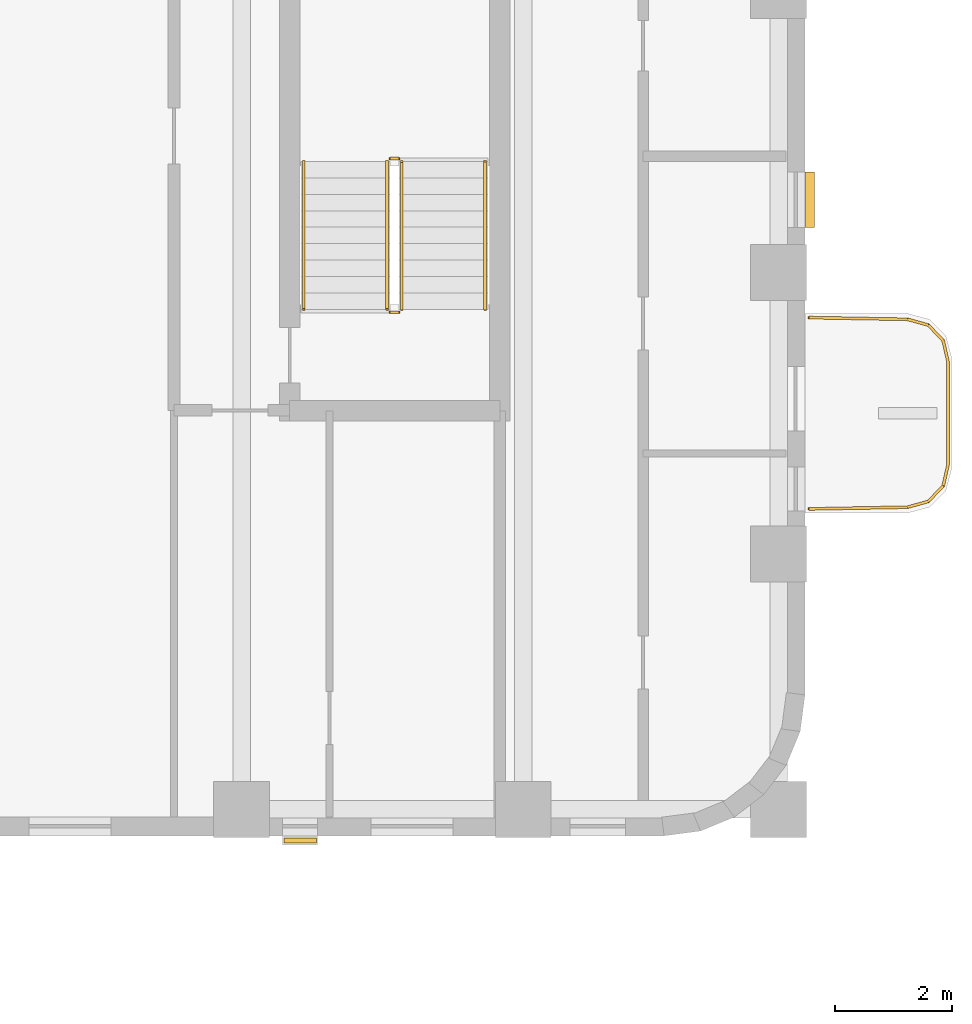
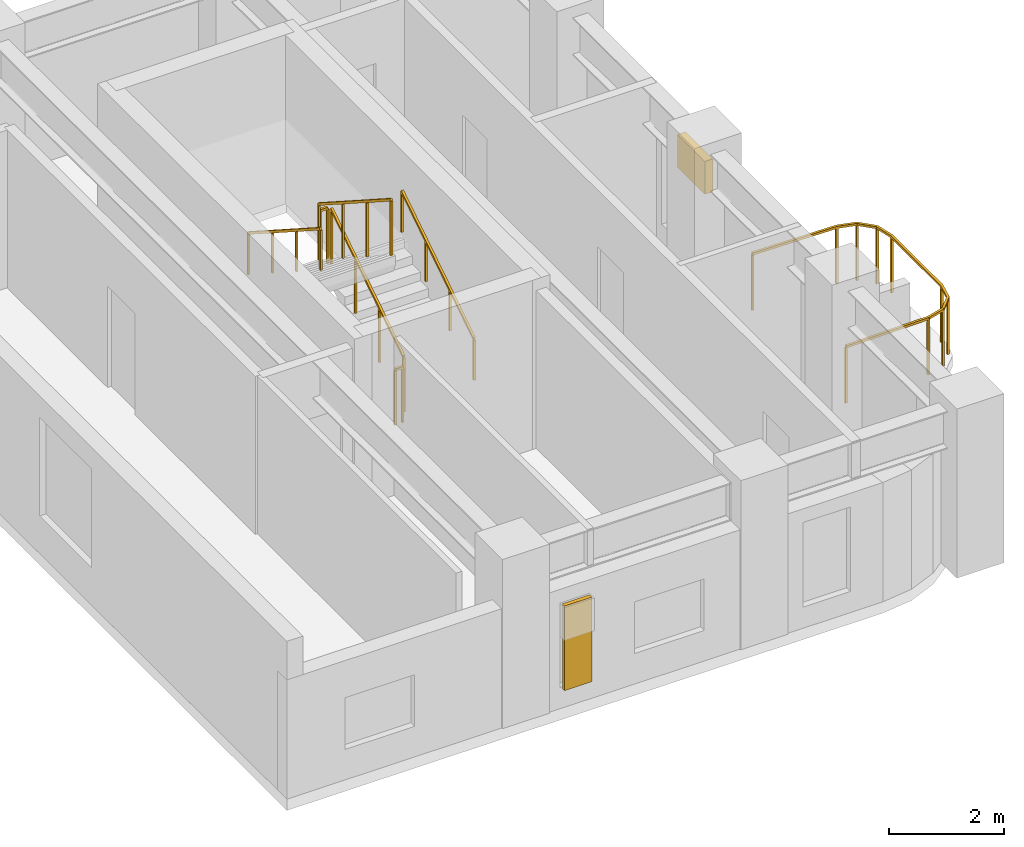
# One storey, part 10 of 11: 7 railings, 2 shading devices.
"""IFC4 building model written with IfcOpenShell, lengths in metres."""

from ifc_helpers import new_model, si_unit, direction, frame, origin, origin_2d, place, context, subcontext, project, spatial, rectangle, extrude, material, type_object, element, save


model = new_model("IFC4")

# Units and contexts
model_context = context("Model", 3, precision=1e-05, world=origin(), true_north=direction((0.0, 1.0)))
body_context = subcontext(model_context, "Body", "Model", "MODEL_VIEW")
ifc_project = project(units=[si_unit("LENGTHUNIT", "METRE"), si_unit("AREAUNIT", "SQUARE_METRE"), si_unit("VOLUMEUNIT", "CUBIC_METRE"), si_unit("PLANEANGLEUNIT", "RADIAN"), si_unit("MASSUNIT", "GRAM", prefix="KILO")], contexts=[model_context])

# Site, building, storey
site_placement = place(None, origin())
site = spatial("IfcSite", under=ifc_project, at=site_placement, CompositionType="ELEMENT")
building_placement = place(site_placement, origin())
building = spatial("IfcBuilding", under=site, at=building_placement, Name="Orvandelia Arch Residences", CompositionType="ELEMENT")
storey_placement = place(building_placement, frame((0.0, 0.0, 172.0)))
storey = spatial("IfcBuildingStorey", under=building, at=storey_placement, Name="L45", CompositionType="ELEMENT", Elevation=172.0)

# Railings
ifc_material_1 = material(Name="Marine-Grade Stainless Steel 316", Category="steel")
railing_type_1 = type_object("IfcRailingType", Name="GRD-BAL-1200", PredefinedType="BALUSTRADE", material=ifc_material_1)
railing_1_placement = place(storey_placement, frame((52.871826171875, 34.36962890625, 0.0)))
element("IfcRailing", 1, at=railing_1_placement, inside=storey, type_object=railing_type_1, Name="Safety Balustrade Guard GRD-L45-BAL-L45-E1-1", PredefinedType="BALUSTRADE", context=body_context, shape_type="SweptSolid", body=[
    extrude(rectangle(XDim=0.048095703125, YDim=0.048095703125, at=origin_2d()), frame((0.0, 0.0, 1.19580078125), z_axis=(0.999837384468, 0.018033430643, 0.0), x_axis=(-0.018033430643, 0.999837384468, 0.0)), (0.0, 0.0, 1.0), 1.6787109375),
    extrude(rectangle(XDim=0.048095703125, YDim=0.048095703125, at=origin_2d()), frame((1.678466796875, 0.0302734375, 1.19580078125), z_axis=(0.96348920644, 0.267747173792, 0.0), x_axis=(-0.267747173792, 0.96348920644, 0.0)), (0.0, 0.0, 1.0), 0.36572265625),
    extrude(rectangle(XDim=0.048095703125, YDim=0.048095703125, at=origin_2d()), frame((2.03076171875, 0.128173828125, 1.19580078125), z_axis=(0.687947031175, 0.725760898848, 0.0), x_axis=(-0.725760898848, 0.687947031175, 0.0)), (0.0, 0.0, 1.0), 0.367919921875),
    extrude(rectangle(XDim=0.048095703125, YDim=0.048095703125, at=origin_2d()), frame((2.283935546875, 0.395263671875, 1.19580078125), z_axis=(0.221225034864, 0.975222786828, 0.0), x_axis=(-0.975222786828, 0.221225034864, 0.0)), (0.0, 0.0, 1.0), 0.373046875),
    extrude(rectangle(XDim=0.048095703125, YDim=0.048095703125, at=origin_2d()), frame((2.366455078125, 0.759033203125, 1.19580078125), z_axis=(0.0, 1.0, 0.0), x_axis=(-1.0, 0.0, 0.0)), (0.0, 0.0, 1.0), 1.74267578125),
    extrude(rectangle(XDim=0.048095703125, YDim=0.048095703125, at=origin_2d()), frame((2.366455078125, 2.501708984375, 1.19580078125), z_axis=(-0.221225034864, 0.975222786828, 0.0), x_axis=(-0.975222786828, -0.221225034864, 0.0)), (0.0, 0.0, 1.0), 0.373046875),
    extrude(rectangle(XDim=0.048095703125, YDim=0.048095703125, at=origin_2d()), frame((2.283935546875, 2.865478515625, 1.19580078125), z_axis=(-0.687947031175, 0.725760898848, 0.0), x_axis=(-0.725760898848, -0.687947031175, 0.0)), (0.0, 0.0, 1.0), 0.367919921875),
    extrude(rectangle(XDim=0.048095703125, YDim=0.048095703125, at=origin_2d()), frame((2.03076171875, 3.132568359375, 1.19580078125), z_axis=(-0.96348920644, 0.267747173792, 0.0), x_axis=(-0.267747173792, -0.96348920644, 0.0)), (0.0, 0.0, 1.0), 0.36572265625),
    extrude(rectangle(XDim=0.048095703125, YDim=0.048095703125, at=origin_2d()), frame((1.678466796875, 3.23046875, 1.19580078125), z_axis=(-0.999837384468, 0.018033430643, 0.0), x_axis=(-0.018033430643, -0.999837384468, 0.0)), (0.0, 0.0, 1.0), 1.6787109375),
    extrude(rectangle(XDim=0.0419921875, YDim=0.0419921875, at=origin_2d()), origin(), (0.0, 0.0, 1.0), 1.171875),
    extrude(rectangle(XDim=0.0419921875, YDim=0.0419921875, at=origin_2d()), frame((1.678466796875, 0.0302734375, 0.0)), (0.0, 0.0, 1.0), 1.171875),
    extrude(rectangle(XDim=0.0419921875, YDim=0.0419921875, at=origin_2d()), frame((2.03076171875, 0.128173828125, 0.0)), (0.0, 0.0, 1.0), 1.171875),
    extrude(rectangle(XDim=0.0419921875, YDim=0.0419921875, at=origin_2d()), frame((2.283935546875, 0.395263671875, 0.0)), (0.0, 0.0, 1.0), 1.171875),
    extrude(rectangle(XDim=0.0419921875, YDim=0.0419921875, at=origin_2d()), frame((2.366455078125, 0.759033203125, 0.0)), (0.0, 0.0, 1.0), 1.171875),
    extrude(rectangle(XDim=0.0419921875, YDim=0.0419921875, at=origin_2d()), frame((2.366455078125, 2.501708984375, 0.0)), (0.0, 0.0, 1.0), 1.171875),
    extrude(rectangle(XDim=0.0419921875, YDim=0.0419921875, at=origin_2d()), frame((2.283935546875, 2.865478515625, 0.0)), (0.0, 0.0, 1.0), 1.171875),
    extrude(rectangle(XDim=0.0419921875, YDim=0.0419921875, at=origin_2d()), frame((2.03076171875, 3.132568359375, 0.0)), (0.0, 0.0, 1.0), 1.171875),
    extrude(rectangle(XDim=0.0419921875, YDim=0.0419921875, at=origin_2d()), frame((1.678466796875, 3.23046875, 0.0)), (0.0, 0.0, 1.0), 1.171875),
    extrude(rectangle(XDim=0.0419921875, YDim=0.0419921875, at=origin_2d()), frame((0.0, 3.2607421875, 0.0)), (0.0, 0.0, 1.0), 1.171875),
])
ifc_material_2 = material(Name="Brushed Stainless Steel 304", Category="steel")
railing_type_2 = type_object("IfcRailingType", Name="RL-STAIR-GD1120", PredefinedType="GUARDRAIL", material=ifc_material_2)
railing_2_placement = place(storey_placement, frame((45.929931640625, 37.77001953125, 0.179931640625)))
element("IfcRailing", 2, at=railing_2_placement, inside=storey, type_object=railing_type_2, Name="L45 ST-3 stair guard 1", PredefinedType="GUARDRAIL", context=body_context, shape_type="SweptSolid", body=[
    extrude(rectangle(XDim=0.048095703125, YDim=0.048095703125, at=origin_2d()), frame((0.0, 0.0, 1.17578125), z_axis=(0.0, 0.841162588446, 0.540782303519), x_axis=(-1.0, 0.0, 0.0)), (0.0, 0.0, 1.0), 2.995849609375),
    extrude(rectangle(XDim=0.0419921875, YDim=0.0419921875, at=origin_2d()), origin(), (0.0, 0.0, 1.0), 1.15185546875),
    extrude(rectangle(XDim=0.0419921875, YDim=0.0419921875, at=origin_2d()), frame((0.0, 0.840087890625, 0.5400390625)), (0.0, 0.0, 1.0), 1.15185546875),
    extrude(rectangle(XDim=0.0419921875, YDim=0.0419921875, at=origin_2d()), frame((0.0, 1.679931640625, 1.080078125)), (0.0, 0.0, 1.0), 1.15185546875),
    extrude(rectangle(XDim=0.0419921875, YDim=0.0419921875, at=origin_2d()), frame((0.0, 2.52001953125, 1.6201171875)), (0.0, 0.0, 1.0), 1.15185546875),
])
railing_3_placement = place(storey_placement, frame((45.8798828125, 40.340087890625, 1.800048828125)))
element("IfcRailing", 3, at=railing_3_placement, inside=storey, type_object=railing_type_2, Name="L45 ST-3 stair guard 2", PredefinedType="GUARDRAIL", context=body_context, shape_type="SweptSolid", body=[
    extrude(rectangle(XDim=0.048095703125, YDim=0.048095703125, at=origin_2d()), frame((0.0, 0.0, 1.17578125), z_axis=(-1.0, 0.0, 0.0), x_axis=(0.0, -1.0, 0.0)), (0.0, 0.0, 1.0), 0.14990234375),
    extrude(rectangle(XDim=0.0419921875, YDim=0.0419921875, at=origin_2d()), origin(), (0.0, 0.0, 1.0), 1.15185546875),
    extrude(rectangle(XDim=0.0419921875, YDim=0.0419921875, at=origin_2d()), frame((-0.14990234375, 0.0, 0.0)), (0.0, 0.0, 1.0), 1.15185546875),
])
railing_4_placement = place(storey_placement, frame((45.679931640625, 40.2900390625, 1.97998046875)))
element("IfcRailing", 4, at=railing_4_placement, inside=storey, type_object=railing_type_2, Name="L45 ST-3 stair guard 3", PredefinedType="GUARDRAIL", context=body_context, shape_type="SweptSolid", body=[
    extrude(rectangle(XDim=0.048095703125, YDim=0.048095703125, at=origin_2d()), frame((0.0, 0.0, 1.17578125), z_axis=(0.0, -0.841162588446, 0.540782303519), x_axis=(1.0, 0.0, 0.0)), (0.0, 0.0, 1.0), 2.995849609375),
    extrude(rectangle(XDim=0.0419921875, YDim=0.0419921875, at=origin_2d()), origin(), (0.0, 0.0, 1.0), 1.15185546875),
    extrude(rectangle(XDim=0.0419921875, YDim=0.0419921875, at=origin_2d()), frame((0.0, -0.840087890625, 0.5400390625)), (0.0, 0.0, 1.0), 1.15185546875),
    extrude(rectangle(XDim=0.0419921875, YDim=0.0419921875, at=origin_2d()), frame((0.0, -1.679931640625, 1.080078125)), (0.0, 0.0, 1.0), 1.15185546875),
    extrude(rectangle(XDim=0.0419921875, YDim=0.0419921875, at=origin_2d()), frame((0.0, -2.52001953125, 1.6201171875)), (0.0, 0.0, 1.0), 1.15185546875),
])
railing_5_placement = place(storey_placement, frame((45.8798828125, 37.719970703125, 0.0)))
element("IfcRailing", 5, at=railing_5_placement, inside=storey, type_object=railing_type_2, Name="L45 ST-3 stair guard 4", PredefinedType="GUARDRAIL", context=body_context, shape_type="SweptSolid", body=[
    extrude(rectangle(XDim=0.048095703125, YDim=0.048095703125, at=origin_2d()), frame((0.0, 0.0, 1.17578125), z_axis=(-1.0, 0.0, 0.0), x_axis=(0.0, -1.0, 0.0)), (0.0, 0.0, 1.0), 0.14990234375),
    extrude(rectangle(XDim=0.0419921875, YDim=0.0419921875, at=origin_2d()), origin(), (0.0, 0.0, 1.0), 1.15185546875),
    extrude(rectangle(XDim=0.0419921875, YDim=0.0419921875, at=origin_2d()), frame((-0.14990234375, 0.0, 0.0)), (0.0, 0.0, 1.0), 1.15185546875),
])
railing_type_3 = type_object("IfcRailingType", Name="RL-STAIR-HR920", PredefinedType="HANDRAIL", material=ifc_material_2)
railing_6_placement = place(storey_placement, frame((47.35009765625, 37.77001953125, 0.360107421875)))
element("IfcRailing", 6, at=railing_6_placement, inside=storey, type_object=railing_type_3, Name="L45 ST-3 stair handrail 1", PredefinedType="HANDRAIL", context=body_context, shape_type="SweptSolid", body=[
    extrude(rectangle(XDim=0.048095703125, YDim=0.048095703125, at=origin_2d()), frame((0.0, 0.0, 0.8759765625), z_axis=(0.0, 0.841199657755, 0.540724639528), x_axis=(-1.0, 0.0, 0.0)), (0.0, 0.0, 1.0), 2.995849609375),
    extrude(rectangle(XDim=0.0419921875, YDim=0.0419921875, at=origin_2d()), origin(), (0.0, 0.0, 1.0), 0.851806640625),
    extrude(rectangle(XDim=0.0419921875, YDim=0.0419921875, at=origin_2d()), frame((0.0, 0.840087890625, 0.5400390625)), (0.0, 0.0, 1.0), 0.851806640625),
    extrude(rectangle(XDim=0.0419921875, YDim=0.0419921875, at=origin_2d()), frame((0.0, 1.679931640625, 1.079833984375)), (0.0, 0.0, 1.0), 0.851806640625),
    extrude(rectangle(XDim=0.0419921875, YDim=0.0419921875, at=origin_2d()), frame((0.0, 2.52001953125, 1.619873046875)), (0.0, 0.0, 1.0), 0.851806640625),
])
railing_7_placement = place(storey_placement, frame((44.260009765625, 40.2900390625, 2.159912109375)))
element("IfcRailing", 7, at=railing_7_placement, inside=storey, type_object=railing_type_3, Name="L45 ST-3 stair handrail 2", PredefinedType="HANDRAIL", context=body_context, shape_type="SweptSolid", body=[
    extrude(rectangle(XDim=0.048095703125, YDim=0.048095703125, at=origin_2d()), frame((0.0, 0.0, 0.8759765625), z_axis=(0.0, -0.841162588446, 0.540782303519), x_axis=(1.0, 0.0, 0.0)), (0.0, 0.0, 1.0), 2.995849609375),
    extrude(rectangle(XDim=0.0419921875, YDim=0.0419921875, at=origin_2d()), origin(), (0.0, 0.0, 1.0), 0.851806640625),
    extrude(rectangle(XDim=0.0419921875, YDim=0.0419921875, at=origin_2d()), frame((0.0, -0.840087890625, 0.5400390625)), (0.0, 0.0, 1.0), 0.851806640625),
    extrude(rectangle(XDim=0.0419921875, YDim=0.0419921875, at=origin_2d()), frame((0.0, -1.679931640625, 1.080078125)), (0.0, 0.0, 1.0), 0.851806640625),
    extrude(rectangle(XDim=0.0419921875, YDim=0.0419921875, at=origin_2d()), frame((0.0, -2.52001953125, 1.6201171875)), (0.0, 0.0, 1.0), 0.851806640625),
])

# Shading devices
ifc_material_3 = material(Name="Anodised Champagne-Bronze Extruded Aluminium", Category="aluminium")
shading_device_type_1 = type_object("IfcShadingDeviceType", Name="SHD-JALOUSIE-SCREEN", PredefinedType="JALOUSIE", material=ifc_material_3)
shading_device_1_placement = place(storey_placement, frame((52.8798828125, 39.638916015625, 1.5498046875), z_axis=(0.0, 0.0, 1.0), x_axis=(0.0, -1.0, 0.0)))
element("IfcShadingDevice", 8, at=shading_device_1_placement, inside=storey, type_object=shading_device_type_1, Name="Bronze Jalousie Sun-Shade L45-002", PredefinedType="JALOUSIE", context=body_context, shape_type="SweptSolid", body=[
    extrude(rectangle(XDim=0.949951171875, YDim=0.159912109375, at=origin_2d()), origin(), (0.0, 0.0, 1.0), 0.699951171875),
])
ifc_material_4 = material(Name="Marine-Grade Perforated Aluminium Storm Shutter", Category="aluminium")
shading_device_type_2 = type_object("IfcShadingDeviceType", Name="SHD-STORM-SHUTTER", PredefinedType="SHUTTER", material=ifc_material_4)
shading_device_2_placement = place(storey_placement, frame((44.197509765625, 28.719970703125, 0.4501953125), z_axis=(0.0, 0.0, 1.0), x_axis=(-1.0, 0.0, 0.0)))
element("IfcShadingDevice", 9, at=shading_device_2_placement, inside=storey, type_object=shading_device_type_2, Name="Operable Typhoon Storm Shutter L45-003", PredefinedType="SHUTTER", context=body_context, shape_type="SweptSolid", body=[
    extrude(rectangle(XDim=0.550048828125, YDim=0.080078125, at=origin_2d()), origin(), (0.0, 0.0, 1.0), 1.800048828125),
])

save(model, "model.ifc")
